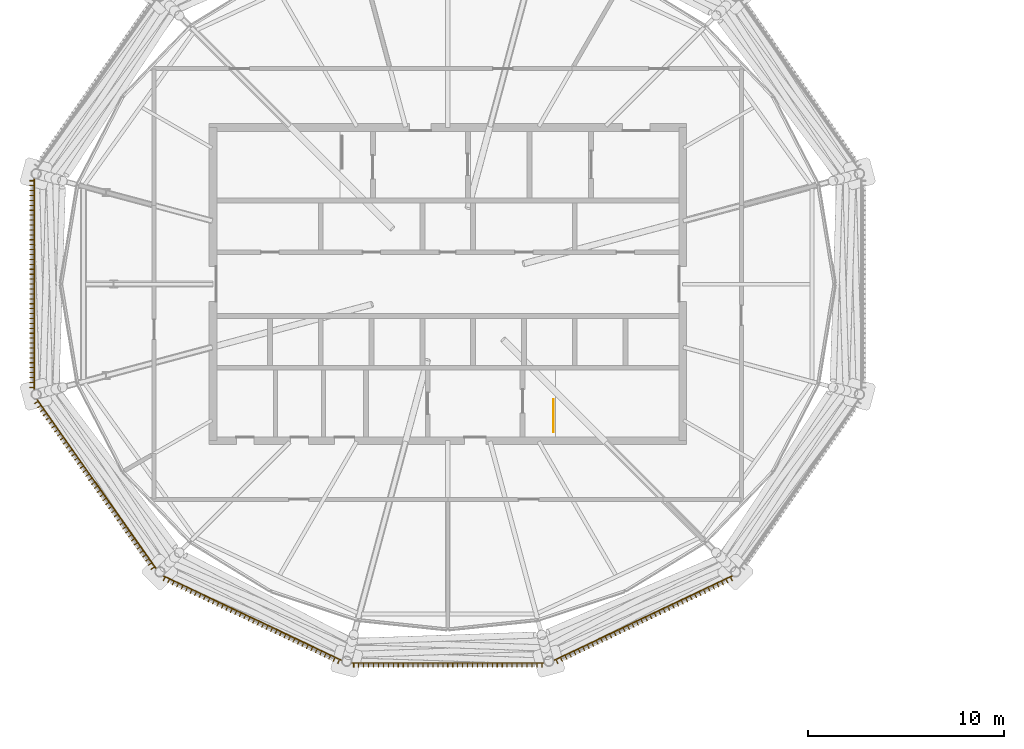
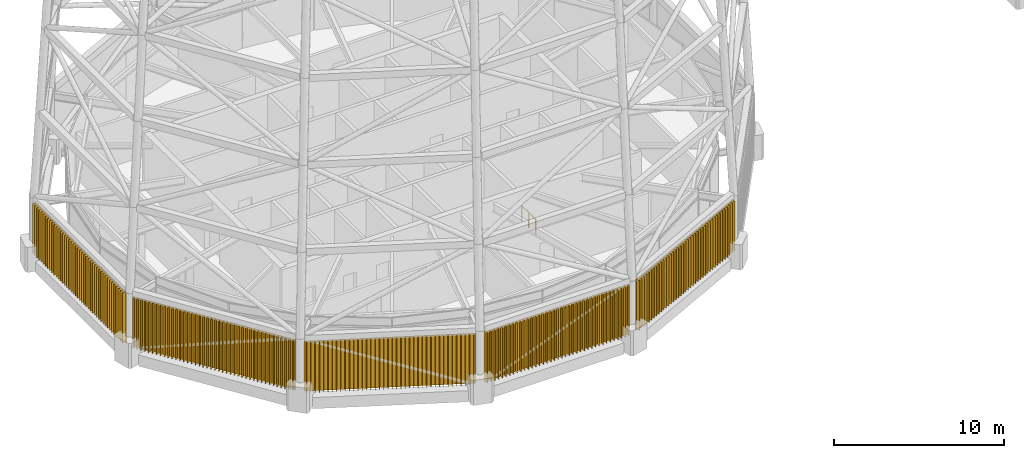
# One storey, part 67 of 71: 5 coverings, 1 railing.
"""IFC4 building model written with IfcOpenShell, lengths in metres."""

import ifcopenshell
import ifcopenshell.guid

model = None  # the IFC model being written
_history = None  # IfcOwnerHistory: only IFC2X3 demands one
_inside = {}  # id of a spatial element -> (the spatial element, [elements in it])
_under = {}  # id of a project, library or spatial element -> (it, [spatial elements below it])
_declared = {}  # id of a project -> (the project, [libraries it declares])
_typed = {}  # id of a type object -> (the type object, [elements of that type])
_made_of = {}  # id of a material, layer set ... -> (it, [elements and type objects made of it])


def new_model(schema):
    """Start an empty IFC model of exactly this schema.

    Asked for "IFC4X3", IfcOpenShell would pick the latest addendum, in which some entities
    have other attributes; the version numbers below select the first issue.
    IFC2X3 requires an IfcOwnerHistory on every rooted entity: one is made here for all.
    """
    global model, _history
    if schema == "IFC4X3":
        model = ifcopenshell.file(schema_version=(4, 3, 0, 0))
    else:
        model = ifcopenshell.file(schema=schema)
    _inside.clear()
    _under.clear()
    _declared.clear()
    _typed.clear()
    _made_of.clear()
    _history = None
    if model.schema == "IFC2X3":
        org = make("IfcOrganization", Name="unknown")
        user = make(
            "IfcPersonAndOrganization",
            ThePerson=make("IfcPerson", FamilyName="unknown"),
            TheOrganization=org,
        )
        app = make(
            "IfcApplication",
            ApplicationDeveloper=org,
            Version="unknown",
            ApplicationFullName="unknown",
            ApplicationIdentifier="unknown",
        )
        _history = make(
            "IfcOwnerHistory",
            OwningUser=user,
            OwningApplication=app,
            ChangeAction="ADDED",
            CreationDate=0,
        )
    return model


def make(cls, **values):
    """One entity of the class cls with the attributes given. An attribute that is None is left unset."""
    return model.create_entity(
        cls, **{name: value for name, value in values.items() if value is not None}
    )


def rooted(cls, **values):
    """An entity with a GlobalId (a new one), such as an element, a storey or a relation."""
    return make(cls, GlobalId=ifcopenshell.guid.new(), OwnerHistory=_history, **values)


def si_unit(unit_type, name, prefix=None):
    """IfcSIUnit, for example si_unit("LENGTHUNIT", "METRE", prefix="MILLI")."""
    return make("IfcSIUnit", UnitType=unit_type, Prefix=prefix, Name=name)


def assignment(units):
    """IfcUnitAssignment: the units of a project."""
    return None if units is None else make("IfcUnitAssignment", Units=units)


def point(xyz):
    """IfcCartesianPoint."""
    return None if xyz is None else make("IfcCartesianPoint", Coordinates=xyz)


def direction(xyz):
    """IfcDirection."""
    return None if xyz is None else make("IfcDirection", DirectionRatios=xyz)


def frame(location, z_axis=None, x_axis=None):
    """IfcAxis2Placement3D, a coordinate frame: its origin and axes. An axis left out is left unset."""
    return make(
        "IfcAxis2Placement3D",
        Location=point(location),
        Axis=direction(z_axis),
        RefDirection=direction(x_axis),
    )


def frame_2d(location, x_axis=None):
    """IfcAxis2Placement2D, a coordinate frame in the plane: its origin and x axis."""
    return make(
        "IfcAxis2Placement2D", Location=point(location), RefDirection=direction(x_axis)
    )


def origin():
    """The frame at (0, 0, 0) with its axes left unset."""
    return frame((0.0, 0.0, 0.0))


def origin_2d():
    """The frame at (0, 0) in the plane with its x axis left unset."""
    return frame_2d((0.0, 0.0))


def place(relative_to, where):
    """IfcLocalPlacement: puts the frame where relative to a parent placement (None: the world)."""
    return make(
        "IfcLocalPlacement", PlacementRelTo=relative_to, RelativePlacement=where
    )


def context(
    kind, dimensions, precision=None, world=None, true_north=None, identifier=None
):
    """IfcGeometricRepresentationContext, for example the 3D "Model" context."""
    return make(
        "IfcGeometricRepresentationContext",
        ContextIdentifier=identifier,
        ContextType=kind,
        CoordinateSpaceDimension=dimensions,
        Precision=precision,
        WorldCoordinateSystem=world,
        TrueNorth=true_north,
    )


def subcontext(parent, identifier, kind, view, scale=None):
    """IfcGeometricRepresentationSubContext, for example "Body" below "Model"."""
    return make(
        "IfcGeometricRepresentationSubContext",
        ContextIdentifier=identifier,
        ContextType=kind,
        ParentContext=parent,
        TargetScale=scale,
        TargetView=view,
    )


def project(units=None, contexts=None):
    """IfcProject with its units and contexts."""
    return rooted(
        "IfcProject",
        Name="project",
        RepresentationContexts=contexts,
        UnitsInContext=assignment(units),
    )


def spatial(cls, under=None, at=None, **own):
    """A site, building, storey or space (cls), placed at a placement, below another one or the project."""
    s = rooted(cls, ObjectPlacement=at, **own)
    if under is not None:
        _under.setdefault(under.id(), (under, []))[1].append(s)
    return s


def polyline(points):
    """IfcPolyline through the points."""
    return make("IfcPolyline", Points=[point(p) for p in points])


def profile(cls, at=None, kind="AREA", **sizes):
    """A parametric profile (cls). Its sizes go by their IFC names, for example OverallWidth=200.0."""
    return make(cls, ProfileType=kind, Position=at, **sizes)


def circle(**sizes):
    """IfcCircleProfileDef."""
    return profile("IfcCircleProfileDef", **sizes)


def outline(outer, holes=None, kind="AREA"):
    """IfcArbitraryClosedProfileDef: a profile drawn as a closed curve; with holes, ...WithVoids."""
    if holes is None:
        return make("IfcArbitraryClosedProfileDef", ProfileType=kind, OuterCurve=outer)
    return make(
        "IfcArbitraryProfileDefWithVoids",
        ProfileType=kind,
        OuterCurve=outer,
        InnerCurves=holes,
    )


def extrude(swept, where, along, depth):
    """IfcExtrudedAreaSolid: the profile swept, set in the frame where, extruded along a direction by depth."""
    return make(
        "IfcExtrudedAreaSolid",
        SweptArea=swept,
        Position=where,
        ExtrudedDirection=direction(along),
        Depth=depth,
    )


def shape(context_of_items, identifier, shape_type, items):
    """IfcShapeRepresentation: the items that make up one representation, for example the "Body"."""
    return make(
        "IfcShapeRepresentation",
        ContextOfItems=context_of_items,
        RepresentationIdentifier=identifier,
        RepresentationType=shape_type,
        Items=items,
    )


def material(Name=None, Category=None):
    """IfcMaterial."""
    return make("IfcMaterial", Name=Name, Category=Category)


def made_of(thing, what):
    """Note that an element or type object is made of a material, layer set ...; save() writes the relation."""
    if what is not None:
        _made_of.setdefault(what.id(), (what, []))[1].append(thing)
    return thing


def type_object(cls, material=None, **own):
    """A type object (cls), such as IfcWallType, which elements share."""
    return made_of(rooted(cls, **own), material)


def element(
    cls,
    number,
    at=None,
    inside=None,
    cuts=None,
    type_object=None,
    material=None,
    context=None,
    identifier="Body",
    shape_type=None,
    held_by="IfcProductDefinitionShape",
    body=None,
    shapes=None,
    **own,
):
    """One element of the class cls, such as IfcWall. Its Tag is "e" and its number.

    at: its placement. inside: the storey or other place that contains it. cuts: it is an
    opening in that element (IfcRelVoidsElement). A single representation is given by context,
    identifier, shape_type and body (its items); several are given by shapes. held_by: the class
    of the entity that holds the representations. save() writes the other relations.
    """
    e = rooted(cls, Tag="e%d" % number, ObjectPlacement=at, **own)
    if body is not None:
        shapes = [shape(context, identifier, shape_type, body)]
    if shapes is not None:
        e.Representation = make(held_by, Representations=shapes)
    if inside is not None:
        _inside.setdefault(inside.id(), (inside, []))[1].append(e)
    if cuts is not None:
        rooted(
            "IfcRelVoidsElement", RelatingBuildingElement=cuts, RelatedOpeningElement=e
        )
    if type_object is not None:
        _typed.setdefault(type_object.id(), (type_object, []))[1].append(e)
    return made_of(e, material)


def aggregate(whole, parts):
    """IfcRelAggregates: a whole, such as a stair, and the parts it consists of."""
    return rooted("IfcRelAggregates", RelatingObject=whole, RelatedObjects=parts)


def save(model, path):
    """Write the relations noted so far, then the file.

    IfcRelAggregates (storeys below a building ...), IfcRelContainedInSpatialStructure (elements
    in a storey), IfcRelDefinesByType, IfcRelAssociatesMaterial and IfcRelDeclares: one each for
    every whole, place, type object, material and project.
    """
    for whole, parts in _under.values():
        aggregate(whole, parts)
    for where, things in _inside.values():
        rooted(
            "IfcRelContainedInSpatialStructure",
            RelatedElements=things,
            RelatingStructure=where,
        )
    for kind, things in _typed.values():
        rooted("IfcRelDefinesByType", RelatedObjects=things, RelatingType=kind)
    for what, things in _made_of.values():
        rooted("IfcRelAssociatesMaterial", RelatedObjects=things, RelatingMaterial=what)
    for by, libraries in _declared.values():
        rooted("IfcRelDeclares", RelatingContext=by, RelatedDefinitions=libraries)
    model.write(path)


model = new_model("IFC4")

# Units and contexts
model_context = context("Model", 3, precision=1e-05, world=origin(), true_north=direction((0.0, 1.0)))
body_context = subcontext(model_context, "Body", "Model", "MODEL_VIEW")
ifc_project = project(units=[si_unit("LENGTHUNIT", "METRE"), si_unit("AREAUNIT", "SQUARE_METRE"), si_unit("VOLUMEUNIT", "CUBIC_METRE"), si_unit("PLANEANGLEUNIT", "RADIAN"), si_unit("MASSUNIT", "GRAM", prefix="KILO")], contexts=[model_context])

# Site, building, storey
site_placement = place(None, origin())
site = spatial("IfcSite", under=ifc_project, at=site_placement, CompositionType="ELEMENT")
building_placement = place(site_placement, origin())
building = spatial("IfcBuilding", under=site, at=building_placement, Name="Rimbun Link Towers", CompositionType="ELEMENT")
storey_placement = place(building_placement, frame((0.0, 0.0, 267.60009765625)))
storey = spatial("IfcBuildingStorey", under=building, at=storey_placement, Name="L65", CompositionType="ELEMENT", Elevation=267.60009765625)

# Railing
ifc_material_1 = material(Name="Stainless steel grade 316", Category="steel")
railing_type = type_object("IfcRailingType", Name="Stair guard", PredefinedType="GUARDRAIL", material=ifc_material_1)
railing_placement = place(storey_placement, frame((-26.35009765625, -7.550048828125, 0.0)))
element("IfcRailing", 1, at=railing_placement, inside=storey, type_object=railing_type, Name="L65 ST2 top well guard 1", PredefinedType="GUARDRAIL", context=body_context, shape_type="SweptSolid", body=[
    extrude(circle(Radius=0.02392578125, at=origin_2d()), frame((0.0, 0.0, 1.076171875), z_axis=(0.0, 1.0, 0.0), x_axis=(-1.0, 0.0, 0.0)), (0.0, 0.0, 1.0), 1.650146484375),
    extrude(circle(Radius=0.02099609375, at=origin_2d()), origin(), (0.0, 0.0, 1.0), 1.052001953125),
    extrude(circle(Radius=0.02099609375, at=origin_2d()), frame((0.0, 0.8251953125, 0.0)), (0.0, 0.0, 1.0), 1.052001953125),
    extrude(circle(Radius=0.02099609375, at=origin_2d()), frame((0.0, 1.650146484375, 0.0)), (0.0, 0.0, 1.0), 1.052001953125),
])

# Coverings
ifc_material_2 = material(Name="Terracotta", Category="masonry")
covering_type = type_object("IfcCoveringType", Name="TERRACOTTA CLADDING screen fins", PredefinedType="CLADDING", material=ifc_material_2)
covering_1_placement = place(storey_placement, frame((0.0, 0.0, 0.2119140625)))
element("IfcCovering", 2, at=covering_1_placement, inside=storey, type_object=covering_type, Name="TERRACOTTA CLADDING screen", PredefinedType="CLADDING", context=body_context, shape_type="SweptSolid", body=[
    extrude(outline(polyline([(-52.892578125, 5.40234375), (-52.892578125, 5.29150390625), (-53.0927734375, 5.29150390625), (-53.0927734375, 5.26171875), (-52.892578125, 5.26171875), (-52.892578125, 5.040283203125), (-53.0927734375, 5.040283203125), (-53.0927734375, 5.010498046875), (-52.892578125, 5.010498046875), (-52.892578125, 4.7890625), (-53.0927734375, 4.7890625), (-53.0927734375, 4.759033203125), (-52.892578125, 4.759033203125), (-52.892578125, 4.537841796875), (-53.0927734375, 4.537841796875), (-53.0927734375, 4.5078125), (-52.892578125, 4.5078125), (-52.892578125, 4.28662109375), (-53.0927734375, 4.28662109375), (-53.0927734375, 4.256591796875), (-52.892578125, 4.256591796875), (-52.892578125, 4.035400390625), (-53.0927734375, 4.035400390625), (-53.0927734375, 4.00537109375), (-52.892578125, 4.00537109375), (-52.892578125, 3.783935546875), (-53.0927734375, 3.783935546875), (-53.0927734375, 3.75390625), (-52.892578125, 3.75390625), (-52.892578125, 3.53271484375), (-53.0927734375, 3.53271484375), (-53.0927734375, 3.502685546875), (-52.892578125, 3.502685546875), (-52.892578125, 3.281494140625), (-53.0927734375, 3.281494140625), (-53.0927734375, 3.25146484375), (-52.892578125, 3.25146484375), (-52.892578125, 3.0302734375), (-53.0927734375, 3.0302734375), (-53.0927734375, 3.000244140625), (-52.892578125, 3.000244140625), (-52.892578125, 2.77880859375), (-53.0927734375, 2.77880859375), (-53.0927734375, 2.748779296875), (-52.892578125, 2.748779296875), (-52.892578125, 2.527587890625), (-53.0927734375, 2.527587890625), (-53.0927734375, 2.497802734375), (-52.892578125, 2.497802734375), (-52.892578125, 2.2763671875), (-53.0927734375, 2.2763671875), (-53.0927734375, 2.246337890625), (-52.892578125, 2.246337890625), (-52.892578125, 2.025146484375), (-53.0927734375, 2.025146484375), (-53.0927734375, 1.9951171875), (-52.892578125, 1.9951171875), (-52.892578125, 1.77392578125), (-53.0927734375, 1.77392578125), (-53.0927734375, 1.743896484375), (-52.892578125, 1.743896484375), (-52.892578125, 1.522705078125), (-53.0927734375, 1.522705078125), (-53.0927734375, 1.49267578125), (-52.892578125, 1.49267578125), (-52.892578125, 1.271240234375), (-53.0927734375, 1.271240234375), (-53.0927734375, 1.2412109375), (-52.892578125, 1.2412109375), (-52.892578125, 1.02001953125), (-53.0927734375, 1.02001953125), (-53.0927734375, 0.989990234375), (-52.892578125, 0.989990234375), (-52.892578125, 0.768798828125), (-53.0927734375, 0.768798828125), (-53.0927734375, 0.73876953125), (-52.892578125, 0.73876953125), (-52.892578125, 0.517578125), (-53.0927734375, 0.517578125), (-53.0927734375, 0.487548828125), (-52.892578125, 0.487548828125), (-52.892578125, 0.266357421875), (-53.0927734375, 0.266357421875), (-53.0927734375, 0.236328125), (-52.892578125, 0.236328125), (-52.892578125, 0.014892578125), (-53.0927734375, 0.014892578125), (-53.0927734375, -0.014892578125), (-52.892578125, -0.014892578125), (-52.892578125, -0.236328125), (-53.0927734375, -0.236328125), (-53.0927734375, -0.266357421875), (-52.892578125, -0.266357421875), (-52.892578125, -0.487548828125), (-53.0927734375, -0.487548828125), (-53.0927734375, -0.517578125), (-52.892578125, -0.517578125), (-52.892578125, -0.73876953125), (-53.0927734375, -0.73876953125), (-53.0927734375, -0.768798828125), (-52.892578125, -0.768798828125), (-52.892578125, -0.989990234375), (-53.0927734375, -0.989990234375), (-53.0927734375, -1.02001953125), (-52.892578125, -1.02001953125), (-52.892578125, -1.2412109375), (-53.0927734375, -1.2412109375), (-53.0927734375, -1.271240234375), (-52.892578125, -1.271240234375), (-52.892578125, -1.49267578125), (-53.0927734375, -1.49267578125), (-53.0927734375, -1.522705078125), (-52.892578125, -1.522705078125), (-52.892578125, -1.743896484375), (-53.0927734375, -1.743896484375), (-53.0927734375, -1.77392578125), (-52.892578125, -1.77392578125), (-52.892578125, -1.9951171875), (-53.0927734375, -1.9951171875), (-53.0927734375, -2.025146484375), (-52.892578125, -2.025146484375), (-52.892578125, -2.246337890625), (-53.0927734375, -2.246337890625), (-53.0927734375, -2.2763671875), (-52.892578125, -2.2763671875), (-52.892578125, -2.497802734375), (-53.0927734375, -2.497802734375), (-53.0927734375, -2.527587890625), (-52.892578125, -2.527587890625), (-52.892578125, -2.748779296875), (-53.0927734375, -2.748779296875), (-53.0927734375, -2.77880859375), (-52.892578125, -2.77880859375), (-52.892578125, -3.000244140625), (-53.0927734375, -3.000244140625), (-53.0927734375, -3.0302734375), (-52.892578125, -3.0302734375), (-52.892578125, -3.25146484375), (-53.0927734375, -3.25146484375), (-53.0927734375, -3.281494140625), (-52.892578125, -3.281494140625), (-52.892578125, -3.502685546875), (-53.0927734375, -3.502685546875), (-53.0927734375, -3.53271484375), (-52.892578125, -3.53271484375), (-52.892578125, -3.75390625), (-53.0927734375, -3.75390625), (-53.0927734375, -3.783935546875), (-52.892578125, -3.783935546875), (-52.892578125, -4.00537109375), (-53.0927734375, -4.00537109375), (-53.0927734375, -4.035400390625), (-52.892578125, -4.035400390625), (-52.892578125, -4.256591796875), (-53.0927734375, -4.256591796875), (-53.0927734375, -4.28662109375), (-52.892578125, -4.28662109375), (-52.892578125, -4.5078125), (-53.0927734375, -4.5078125), (-53.0927734375, -4.537841796875), (-52.892578125, -4.537841796875), (-52.892578125, -4.759033203125), (-53.0927734375, -4.759033203125), (-53.0927734375, -4.7890625), (-52.892578125, -4.7890625), (-52.892578125, -5.010498046875), (-53.0927734375, -5.010498046875), (-53.0927734375, -5.040283203125), (-52.892578125, -5.040283203125), (-52.892578125, -5.26171875), (-53.0927734375, -5.26171875), (-53.0927734375, -5.29150390625), (-52.892578125, -5.29150390625), (-52.892578125, -5.40234375), (-52.8427734375, -5.388916015625), (-52.8427734375, 5.388916015625), (-52.892578125, 5.40234375)])), origin(), (0.0, 0.0, 1.0), 3.575927734375),
])
covering_2_placement = place(storey_placement, frame((0.0, 0.0, 0.2119140625)))
element("IfcCovering", 3, at=covering_2_placement, inside=storey, type_object=covering_type, Name="TERRACOTTA CLADDING screen", PredefinedType="CLADDING", context=body_context, shape_type="SweptSolid", body=[
    extrude(outline(polyline([(-52.7626953125, -5.893310546875), (-52.69873046875, -5.984130859375), (-52.8623046875, -6.099365234375), (-52.84521484375, -6.123779296875), (-52.681396484375, -6.0087890625), (-52.5537109375, -6.1904296875), (-52.71728515625, -6.3056640625), (-52.699951171875, -6.330078125), (-52.536376953125, -6.215087890625), (-52.408447265625, -6.396728515625), (-52.572021484375, -6.511962890625), (-52.5546875, -6.536376953125), (-52.39111328125, -6.42138671875), (-52.26318359375, -6.60302734375), (-52.427001953125, -6.71826171875), (-52.40966796875, -6.74267578125), (-52.24609375, -6.627685546875), (-52.1181640625, -6.809326171875), (-52.28173828125, -6.92431640625), (-52.264404296875, -6.948974609375), (-52.100830078125, -6.833984375), (-51.972900390625, -7.015625), (-52.13671875, -7.130615234375), (-52.119384765625, -7.1552734375), (-51.955810546875, -7.040283203125), (-51.827880859375, -7.221923828125), (-51.991455078125, -7.3369140625), (-51.97412109375, -7.361572265625), (-51.810546875, -7.24658203125), (-51.6826171875, -7.42822265625), (-51.84619140625, -7.543212890625), (-51.8291015625, -7.56787109375), (-51.66552734375, -7.45263671875), (-51.53759765625, -7.634521484375), (-51.701171875, -7.74951171875), (-51.683837890625, -7.774169921875), (-51.520263671875, -7.658935546875), (-51.392333984375, -7.8408203125), (-51.555908203125, -7.955810546875), (-51.538818359375, -7.98046875), (-51.375244140625, -7.865234375), (-51.247314453125, -8.047119140625), (-51.410888671875, -8.162109375), (-51.3935546875, -8.186767578125), (-51.22998046875, -8.071533203125), (-51.102294921875, -8.25341796875), (-51.265625, -8.368408203125), (-51.24853515625, -8.39306640625), (-51.0849609375, -8.27783203125), (-50.95703125, -8.459716796875), (-51.12060546875, -8.57470703125), (-51.103271484375, -8.599365234375), (-50.939697265625, -8.484130859375), (-50.81201171875, -8.666015625), (-50.975341796875, -8.781005859375), (-50.958251953125, -8.8056640625), (-50.794677734375, -8.6904296875), (-50.666748046875, -8.872314453125), (-50.830322265625, -8.9873046875), (-50.81298828125, -9.01171875), (-50.6494140625, -8.896728515625), (-50.521484375, -9.07861328125), (-50.68505859375, -9.193603515625), (-50.66796875, -9.218017578125), (-50.50439453125, -9.10302734375), (-50.37646484375, -9.284912109375), (-50.5400390625, -9.39990234375), (-50.522705078125, -9.42431640625), (-50.359130859375, -9.309326171875), (-50.231201171875, -9.4912109375), (-50.39501953125, -9.606201171875), (-50.377685546875, -9.630615234375), (-50.214111328125, -9.515625), (-50.086181640625, -9.697509765625), (-50.249755859375, -9.8125), (-50.232421875, -9.8369140625), (-50.06884765625, -9.721923828125), (-49.94091796875, -9.90380859375), (-50.1044921875, -10.018798828125), (-50.08740234375, -10.043212890625), (-49.923583984375, -9.92822265625), (-49.7958984375, -10.10986328125), (-49.95947265625, -10.22509765625), (-49.942138671875, -10.24951171875), (-49.778564453125, -10.134521484375), (-49.650634765625, -10.316162109375), (-49.814208984375, -10.431396484375), (-49.797119140625, -10.455810546875), (-49.63330078125, -10.3408203125), (-49.505615234375, -10.5224609375), (-49.669189453125, -10.6376953125), (-49.65185546875, -10.662109375), (-49.48828125, -10.547119140625), (-49.3603515625, -10.728759765625), (-49.52392578125, -10.843994140625), (-49.506591796875, -10.868408203125), (-49.343017578125, -10.75341796875), (-49.21533203125, -10.93505859375), (-49.37890625, -11.05029296875), (-49.361572265625, -11.07470703125), (-49.197998046875, -10.959716796875), (-49.070068359375, -11.141357421875), (-49.233642578125, -11.256591796875), (-49.21630859375, -11.281005859375), (-49.052978515625, -11.166015625), (-48.925048828125, -11.34765625), (-49.08837890625, -11.462890625), (-49.0712890625, -11.4873046875), (-48.90771484375, -11.372314453125), (-48.77978515625, -11.553955078125), (-48.943359375, -11.6689453125), (-48.926025390625, -11.693603515625), (-48.7626953125, -11.57861328125), (-48.634765625, -11.76025390625), (-48.79833984375, -11.875244140625), (-48.781005859375, -11.89990234375), (-48.617431640625, -11.784912109375), (-48.489501953125, -11.966552734375), (-48.653076171875, -12.08154296875), (-48.6357421875, -12.106201171875), (-48.472412109375, -11.9912109375), (-48.344482421875, -12.1728515625), (-48.508056640625, -12.287841796875), (-48.49072265625, -12.3125), (-48.3271484375, -12.197265625), (-48.19921875, -12.379150390625), (-48.36279296875, -12.494140625), (-48.345703125, -12.518798828125), (-48.181884765625, -12.403564453125), (-48.05419921875, -12.58544921875), (-48.2177734375, -12.700439453125), (-48.200439453125, -12.72509765625), (-48.036865234375, -12.60986328125), (-47.908935546875, -12.791748046875), (-48.072509765625, -12.90673828125), (-48.055419921875, -12.931396484375), (-47.8916015625, -12.816162109375), (-47.763916015625, -12.998046875), (-47.927490234375, -13.113037109375), (-47.91015625, -13.1376953125), (-47.74658203125, -13.0224609375), (-47.61865234375, -13.2041015625), (-47.7822265625, -13.3193359375), (-47.764892578125, -13.343994140625), (-47.601318359375, -13.228759765625), (-47.473388671875, -13.410400390625), (-47.63720703125, -13.525634765625), (-47.619873046875, -13.55029296875), (-47.456298828125, -13.43505859375), (-47.328369140625, -13.61669921875), (-47.491943359375, -13.73193359375), (-47.474609375, -13.75634765625), (-47.31103515625, -13.641357421875), (-47.18310546875, -13.822998046875), (-47.3466796875, -13.938232421875), (-47.32958984375, -13.962646484375), (-47.166015625, -13.84765625), (-47.0380859375, -14.029296875), (-47.20166015625, -14.14453125), (-47.184326171875, -14.1689453125), (-47.020751953125, -14.053955078125), (-46.892822265625, -14.235595703125), (-47.056396484375, -14.350830078125), (-47.039306640625, -14.375244140625), (-46.875732421875, -14.26025390625), (-46.747802734375, -14.44189453125), (-46.911376953125, -14.55712890625), (-46.89404296875, -14.58154296875), (-46.73046875, -14.466552734375), (-46.66650390625, -14.557373046875), (-46.630615234375, -14.521484375), (-52.711181640625, -5.87939453125), (-52.7626953125, -5.893310546875)])), origin(), (0.0, 0.0, 1.0), 3.575927734375),
])
covering_3_placement = place(storey_placement, frame((0.0, 0.0, 0.2119140625)))
element("IfcCovering", 4, at=covering_3_placement, inside=storey, type_object=covering_type, Name="TERRACOTTA CLADDING screen", PredefinedType="CLADDING", context=body_context, shape_type="SweptSolid", body=[
    extrude(outline(polyline([(-46.30908203125, -14.918212890625), (-46.20849609375, -14.966064453125), (-46.2939453125, -15.146728515625), (-46.266845703125, -15.159423828125), (-46.181396484375, -14.978759765625), (-45.97998046875, -15.07421875), (-46.065673828125, -15.2548828125), (-46.03857421875, -15.267822265625), (-45.952880859375, -15.087158203125), (-45.75146484375, -15.1826171875), (-45.837158203125, -15.36328125), (-45.81005859375, -15.376220703125), (-45.724365234375, -15.1953125), (-45.52294921875, -15.290771484375), (-45.608642578125, -15.471435546875), (-45.58154296875, -15.484375), (-45.495849609375, -15.3037109375), (-45.29443359375, -15.399169921875), (-45.380126953125, -15.579833984375), (-45.35302734375, -15.5927734375), (-45.267333984375, -15.412109375), (-45.066162109375, -15.50732421875), (-45.15185546875, -15.68798828125), (-45.12451171875, -15.700927734375), (-45.0390625, -15.520263671875), (-44.837646484375, -15.61572265625), (-44.92333984375, -15.79638671875), (-44.896240234375, -15.80908203125), (-44.810546875, -15.62841796875), (-44.609130859375, -15.72412109375), (-44.69482421875, -15.90478515625), (-44.667724609375, -15.91748046875), (-44.58203125, -15.73681640625), (-44.380615234375, -15.832275390625), (-44.46630859375, -16.012939453125), (-44.439208984375, -16.02587890625), (-44.353515625, -15.84521484375), (-44.15234375, -15.9404296875), (-44.23779296875, -16.121337890625), (-44.210693359375, -16.134033203125), (-44.125244140625, -15.953369140625), (-43.923828125, -16.048828125), (-44.009521484375, -16.2294921875), (-43.982421875, -16.242431640625), (-43.896728515625, -16.061767578125), (-43.6953125, -16.156982421875), (-43.781005859375, -16.337890625), (-43.75390625, -16.3505859375), (-43.668212890625, -16.169921875), (-43.466796875, -16.265380859375), (-43.552490234375, -16.446044921875), (-43.525390625, -16.458984375), (-43.439697265625, -16.2783203125), (-43.238525390625, -16.373779296875), (-43.32421875, -16.554443359375), (-43.297119140625, -16.567138671875), (-43.21142578125, -16.386474609375), (-43.010009765625, -16.48193359375), (-43.095703125, -16.66259765625), (-43.068603515625, -16.675537109375), (-42.98291015625, -16.494873046875), (-42.781494140625, -16.590087890625), (-42.8671875, -16.77099609375), (-42.840087890625, -16.78369140625), (-42.75439453125, -16.60302734375), (-42.552978515625, -16.698486328125), (-42.638916015625, -16.87939453125), (-42.61181640625, -16.89208984375), (-42.52587890625, -16.71142578125), (-42.32470703125, -16.806884765625), (-42.410400390625, -16.987548828125), (-42.38330078125, -17.00048828125), (-42.297607421875, -16.819580078125), (-42.09619140625, -16.9150390625), (-42.181884765625, -17.095703125), (-42.15478515625, -17.108642578125), (-42.069091796875, -16.927978515625), (-41.86767578125, -17.0234375), (-41.953369140625, -17.2041015625), (-41.92626953125, -17.217041015625), (-41.840576171875, -17.0361328125), (-41.639404296875, -17.131591796875), (-41.72509765625, -17.3125), (-41.69775390625, -17.3251953125), (-41.6123046875, -17.14453125), (-41.410888671875, -17.239990234375), (-41.49658203125, -17.420654296875), (-41.469482421875, -17.43359375), (-41.3837890625, -17.252685546875), (-41.182373046875, -17.34814453125), (-41.26806640625, -17.529052734375), (-41.240966796875, -17.541748046875), (-41.1552734375, -17.361083984375), (-40.953857421875, -17.45654296875), (-41.03955078125, -17.63720703125), (-41.012451171875, -17.650146484375), (-40.9267578125, -17.469482421875), (-40.7255859375, -17.564697265625), (-40.81103515625, -17.74560546875), (-40.783935546875, -17.75830078125), (-40.698486328125, -17.57763671875), (-40.4970703125, -17.673095703125), (-40.582763671875, -17.853759765625), (-40.5556640625, -17.86669921875), (-40.469970703125, -17.685791015625), (-40.2685546875, -17.781494140625), (-40.354248046875, -17.962158203125), (-40.3271484375, -17.97509765625), (-40.241455078125, -17.794189453125), (-40.0400390625, -17.8896484375), (-40.125732421875, -18.0703125), (-40.0986328125, -18.083251953125), (-40.012939453125, -17.902587890625), (-39.811767578125, -17.998046875), (-39.897216796875, -18.1787109375), (-39.8701171875, -18.19140625), (-39.78466796875, -18.0107421875), (-39.583251953125, -18.106201171875), (-39.6689453125, -18.287109375), (-39.641845703125, -18.2998046875), (-39.55615234375, -18.119140625), (-39.354736328125, -18.214599609375), (-39.4404296875, -18.395263671875), (-39.413330078125, -18.408203125), (-39.32763671875, -18.227294921875), (-39.126220703125, -18.32275390625), (-39.2119140625, -18.50341796875), (-39.184814453125, -18.516357421875), (-39.09912109375, -18.335693359375), (-38.89794921875, -18.43115234375), (-38.9833984375, -18.61181640625), (-38.956298828125, -18.624755859375), (-38.87060546875, -18.44384765625), (-38.66943359375, -18.539306640625), (-38.755126953125, -18.72021484375), (-38.72802734375, -18.73291015625), (-38.642333984375, -18.55224609375), (-38.44091796875, -18.647705078125), (-38.526611328125, -18.828369140625), (-38.49951171875, -18.84130859375), (-38.413818359375, -18.660400390625), (-38.21240234375, -18.755859375), (-38.298095703125, -18.936767578125), (-38.27099609375, -18.949462890625), (-38.185302734375, -18.768798828125), (-37.98388671875, -18.8642578125), (-38.069580078125, -19.044921875), (-38.04248046875, -19.057861328125), (-37.956787109375, -18.877197265625), (-37.755615234375, -18.972412109375), (-37.84130859375, -19.1533203125), (-37.814208984375, -19.166015625), (-37.728515625, -18.9853515625), (-37.527099609375, -19.080810546875), (-37.61279296875, -19.261474609375), (-37.585693359375, -19.2744140625), (-37.5, -19.09375), (-37.298583984375, -19.189208984375), (-37.38427734375, -19.369873046875), (-37.357177734375, -19.3828125), (-37.271484375, -19.201904296875), (-37.1708984375, -19.249755859375), (-37.15771484375, -19.20068359375), (-46.271484375, -14.880615234375), (-46.30908203125, -14.918212890625)])), origin(), (0.0, 0.0, 1.0), 3.575927734375),
])
covering_4_placement = place(storey_placement, frame((0.0, 0.0, 0.2119140625)))
element("IfcCovering", 5, at=covering_4_placement, inside=storey, type_object=covering_type, Name="TERRACOTTA CLADDING screen", PredefinedType="CLADDING", context=body_context, shape_type="SweptSolid", body=[
    extrude(outline(polyline([(-36.680419921875, -19.382080078125), (-36.569091796875, -19.382080078125), (-36.569091796875, -19.58203125), (-36.5390625, -19.58203125), (-36.5390625, -19.382080078125), (-36.316162109375, -19.382080078125), (-36.316162109375, -19.58203125), (-36.2861328125, -19.58203125), (-36.2861328125, -19.382080078125), (-36.063232421875, -19.382080078125), (-36.063232421875, -19.58203125), (-36.033203125, -19.58203125), (-36.033203125, -19.382080078125), (-35.810546875, -19.382080078125), (-35.810546875, -19.58203125), (-35.780517578125, -19.58203125), (-35.780517578125, -19.382080078125), (-35.5576171875, -19.382080078125), (-35.5576171875, -19.58203125), (-35.527587890625, -19.58203125), (-35.527587890625, -19.382080078125), (-35.3046875, -19.382080078125), (-35.3046875, -19.58203125), (-35.27490234375, -19.58203125), (-35.27490234375, -19.382080078125), (-35.052001953125, -19.382080078125), (-35.052001953125, -19.58203125), (-35.02197265625, -19.58203125), (-35.02197265625, -19.382080078125), (-34.799072265625, -19.382080078125), (-34.799072265625, -19.58203125), (-34.76904296875, -19.58203125), (-34.76904296875, -19.382080078125), (-34.54638671875, -19.382080078125), (-34.54638671875, -19.58203125), (-34.516357421875, -19.58203125), (-34.516357421875, -19.382080078125), (-34.29345703125, -19.382080078125), (-34.29345703125, -19.58203125), (-34.263427734375, -19.58203125), (-34.263427734375, -19.382080078125), (-34.04052734375, -19.382080078125), (-34.04052734375, -19.58203125), (-34.010498046875, -19.58203125), (-34.010498046875, -19.382080078125), (-33.78759765625, -19.382080078125), (-33.78759765625, -19.58203125), (-33.7578125, -19.58203125), (-33.7578125, -19.382080078125), (-33.534912109375, -19.382080078125), (-33.534912109375, -19.58203125), (-33.5048828125, -19.58203125), (-33.5048828125, -19.382080078125), (-33.281982421875, -19.382080078125), (-33.281982421875, -19.58203125), (-33.252197265625, -19.58203125), (-33.252197265625, -19.382080078125), (-33.029296875, -19.382080078125), (-33.029296875, -19.58203125), (-32.999267578125, -19.58203125), (-32.999267578125, -19.382080078125), (-32.7763671875, -19.382080078125), (-32.7763671875, -19.58203125), (-32.746337890625, -19.58203125), (-32.746337890625, -19.382080078125), (-32.5234375, -19.382080078125), (-32.5234375, -19.58203125), (-32.493408203125, -19.58203125), (-32.493408203125, -19.382080078125), (-32.270751953125, -19.382080078125), (-32.270751953125, -19.58203125), (-32.24072265625, -19.58203125), (-32.24072265625, -19.382080078125), (-32.017822265625, -19.382080078125), (-32.017822265625, -19.58203125), (-31.98779296875, -19.58203125), (-31.98779296875, -19.382080078125), (-31.764892578125, -19.382080078125), (-31.764892578125, -19.58203125), (-31.735107421875, -19.58203125), (-31.735107421875, -19.382080078125), (-31.51220703125, -19.382080078125), (-31.51220703125, -19.58203125), (-31.482177734375, -19.58203125), (-31.482177734375, -19.382080078125), (-31.25927734375, -19.382080078125), (-31.25927734375, -19.58203125), (-31.229248046875, -19.58203125), (-31.229248046875, -19.382080078125), (-31.006591796875, -19.382080078125), (-31.006591796875, -19.58203125), (-30.9765625, -19.58203125), (-30.9765625, -19.382080078125), (-30.753662109375, -19.382080078125), (-30.753662109375, -19.58203125), (-30.7236328125, -19.58203125), (-30.7236328125, -19.382080078125), (-30.500732421875, -19.382080078125), (-30.500732421875, -19.58203125), (-30.470703125, -19.58203125), (-30.470703125, -19.382080078125), (-30.247802734375, -19.382080078125), (-30.247802734375, -19.58203125), (-30.218017578125, -19.58203125), (-30.218017578125, -19.382080078125), (-29.9951171875, -19.382080078125), (-29.9951171875, -19.58203125), (-29.965087890625, -19.58203125), (-29.965087890625, -19.382080078125), (-29.7421875, -19.382080078125), (-29.7421875, -19.58203125), (-29.71240234375, -19.58203125), (-29.71240234375, -19.382080078125), (-29.489501953125, -19.382080078125), (-29.489501953125, -19.58203125), (-29.45947265625, -19.58203125), (-29.45947265625, -19.382080078125), (-29.236572265625, -19.382080078125), (-29.236572265625, -19.58203125), (-29.20654296875, -19.58203125), (-29.20654296875, -19.382080078125), (-28.983642578125, -19.382080078125), (-28.983642578125, -19.58203125), (-28.95361328125, -19.58203125), (-28.95361328125, -19.382080078125), (-28.73095703125, -19.382080078125), (-28.73095703125, -19.58203125), (-28.700927734375, -19.58203125), (-28.700927734375, -19.382080078125), (-28.47802734375, -19.382080078125), (-28.47802734375, -19.58203125), (-28.447998046875, -19.58203125), (-28.447998046875, -19.382080078125), (-28.22509765625, -19.382080078125), (-28.22509765625, -19.58203125), (-28.1953125, -19.58203125), (-28.1953125, -19.382080078125), (-27.972412109375, -19.382080078125), (-27.972412109375, -19.58203125), (-27.9423828125, -19.58203125), (-27.9423828125, -19.382080078125), (-27.719482421875, -19.382080078125), (-27.719482421875, -19.58203125), (-27.689453125, -19.58203125), (-27.689453125, -19.382080078125), (-27.466796875, -19.382080078125), (-27.466796875, -19.58203125), (-27.436767578125, -19.58203125), (-27.436767578125, -19.382080078125), (-27.2138671875, -19.382080078125), (-27.2138671875, -19.58203125), (-27.183837890625, -19.58203125), (-27.183837890625, -19.382080078125), (-26.9609375, -19.382080078125), (-26.9609375, -19.58203125), (-26.930908203125, -19.58203125), (-26.930908203125, -19.382080078125), (-26.819580078125, -19.382080078125), (-26.8330078125, -19.33203125), (-36.6669921875, -19.33203125), (-36.680419921875, -19.382080078125)])), origin(), (0.0, 0.0, 1.0), 3.575927734375),
])
covering_5_placement = place(storey_placement, frame((0.0, 0.0, 0.2119140625)))
element("IfcCovering", 6, at=covering_5_placement, inside=storey, type_object=covering_type, Name="TERRACOTTA CLADDING screen", PredefinedType="CLADDING", context=body_context, shape_type="SweptSolid", body=[
    extrude(outline(polyline([(-26.3291015625, -19.249755859375), (-26.228515625, -19.201904296875), (-26.142822265625, -19.3828125), (-26.11572265625, -19.369873046875), (-26.201416015625, -19.189208984375), (-26.0, -19.09375), (-25.914306640625, -19.2744140625), (-25.88720703125, -19.261474609375), (-25.972900390625, -19.080810546875), (-25.771484375, -18.9853515625), (-25.685791015625, -19.166015625), (-25.65869140625, -19.1533203125), (-25.744384765625, -18.972412109375), (-25.543212890625, -18.877197265625), (-25.45751953125, -19.057861328125), (-25.430419921875, -19.044921875), (-25.51611328125, -18.8642578125), (-25.314697265625, -18.768798828125), (-25.22900390625, -18.949462890625), (-25.201904296875, -18.936767578125), (-25.28759765625, -18.755859375), (-25.086181640625, -18.660400390625), (-25.00048828125, -18.84130859375), (-24.973388671875, -18.828369140625), (-25.05908203125, -18.647705078125), (-24.857666015625, -18.55224609375), (-24.77197265625, -18.73291015625), (-24.744873046875, -18.72021484375), (-24.83056640625, -18.539306640625), (-24.62939453125, -18.44384765625), (-24.543701171875, -18.624755859375), (-24.5166015625, -18.61181640625), (-24.60205078125, -18.43115234375), (-24.40087890625, -18.335693359375), (-24.315185546875, -18.516357421875), (-24.2880859375, -18.50341796875), (-24.373779296875, -18.32275390625), (-24.17236328125, -18.227294921875), (-24.086669921875, -18.408203125), (-24.0595703125, -18.395263671875), (-24.145263671875, -18.214599609375), (-23.94384765625, -18.119140625), (-23.858154296875, -18.2998046875), (-23.8310546875, -18.287109375), (-23.916748046875, -18.106201171875), (-23.71533203125, -18.0107421875), (-23.6298828125, -18.19140625), (-23.602783203125, -18.1787109375), (-23.688232421875, -17.998046875), (-23.487060546875, -17.902587890625), (-23.4013671875, -18.083251953125), (-23.374267578125, -18.0703125), (-23.4599609375, -17.8896484375), (-23.258544921875, -17.794189453125), (-23.1728515625, -17.97509765625), (-23.145751953125, -17.962158203125), (-23.2314453125, -17.781494140625), (-23.030029296875, -17.685791015625), (-22.9443359375, -17.86669921875), (-22.917236328125, -17.853759765625), (-23.0029296875, -17.673095703125), (-22.801513671875, -17.57763671875), (-22.716064453125, -17.75830078125), (-22.68896484375, -17.74560546875), (-22.7744140625, -17.564697265625), (-22.5732421875, -17.469482421875), (-22.487548828125, -17.650146484375), (-22.46044921875, -17.63720703125), (-22.546142578125, -17.45654296875), (-22.3447265625, -17.361083984375), (-22.259033203125, -17.541748046875), (-22.23193359375, -17.529052734375), (-22.317626953125, -17.34814453125), (-22.1162109375, -17.252685546875), (-22.030517578125, -17.43359375), (-22.00341796875, -17.420654296875), (-22.089111328125, -17.239990234375), (-21.8876953125, -17.14453125), (-21.80224609375, -17.3251953125), (-21.77490234375, -17.3125), (-21.860595703125, -17.131591796875), (-21.659423828125, -17.0361328125), (-21.57373046875, -17.217041015625), (-21.546630859375, -17.2041015625), (-21.63232421875, -17.0234375), (-21.430908203125, -16.927978515625), (-21.34521484375, -17.108642578125), (-21.318115234375, -17.095703125), (-21.40380859375, -16.9150390625), (-21.202392578125, -16.819580078125), (-21.11669921875, -17.00048828125), (-21.089599609375, -16.987548828125), (-21.17529296875, -16.806884765625), (-20.97412109375, -16.71142578125), (-20.88818359375, -16.89208984375), (-20.861083984375, -16.87939453125), (-20.947021484375, -16.698486328125), (-20.74560546875, -16.60302734375), (-20.659912109375, -16.78369140625), (-20.6328125, -16.77099609375), (-20.718505859375, -16.590087890625), (-20.51708984375, -16.494873046875), (-20.431396484375, -16.675537109375), (-20.404296875, -16.66259765625), (-20.489990234375, -16.48193359375), (-20.28857421875, -16.386474609375), (-20.202880859375, -16.567138671875), (-20.17578125, -16.554443359375), (-20.261474609375, -16.373779296875), (-20.060302734375, -16.2783203125), (-19.974609375, -16.458984375), (-19.947509765625, -16.446044921875), (-20.033203125, -16.265380859375), (-19.831787109375, -16.169921875), (-19.74609375, -16.3505859375), (-19.718994140625, -16.337890625), (-19.8046875, -16.156982421875), (-19.603271484375, -16.061767578125), (-19.517578125, -16.242431640625), (-19.490478515625, -16.2294921875), (-19.576171875, -16.048828125), (-19.374755859375, -15.953369140625), (-19.289306640625, -16.134033203125), (-19.26220703125, -16.121337890625), (-19.34765625, -15.9404296875), (-19.146484375, -15.84521484375), (-19.060791015625, -16.02587890625), (-19.03369140625, -16.012939453125), (-19.119384765625, -15.832275390625), (-18.91796875, -15.73681640625), (-18.832275390625, -15.91748046875), (-18.80517578125, -15.90478515625), (-18.890869140625, -15.72412109375), (-18.689453125, -15.62841796875), (-18.603759765625, -15.80908203125), (-18.57666015625, -15.79638671875), (-18.662353515625, -15.61572265625), (-18.4609375, -15.520263671875), (-18.37548828125, -15.700927734375), (-18.34814453125, -15.68798828125), (-18.433837890625, -15.50732421875), (-18.232666015625, -15.412109375), (-18.14697265625, -15.5927734375), (-18.119873046875, -15.579833984375), (-18.20556640625, -15.399169921875), (-18.004150390625, -15.3037109375), (-17.91845703125, -15.484375), (-17.891357421875, -15.471435546875), (-17.97705078125, -15.290771484375), (-17.775634765625, -15.1953125), (-17.68994140625, -15.376220703125), (-17.662841796875, -15.36328125), (-17.74853515625, -15.1826171875), (-17.547119140625, -15.087158203125), (-17.46142578125, -15.267822265625), (-17.434326171875, -15.2548828125), (-17.52001953125, -15.07421875), (-17.318603515625, -14.978759765625), (-17.233154296875, -15.159423828125), (-17.2060546875, -15.146728515625), (-17.29150390625, -14.966064453125), (-17.19091796875, -14.918212890625), (-17.228515625, -14.880615234375), (-26.34228515625, -19.20068359375), (-26.3291015625, -19.249755859375)])), origin(), (0.0, 0.0, 1.0), 3.575927734375),
])

save(model, "model.ifc")
